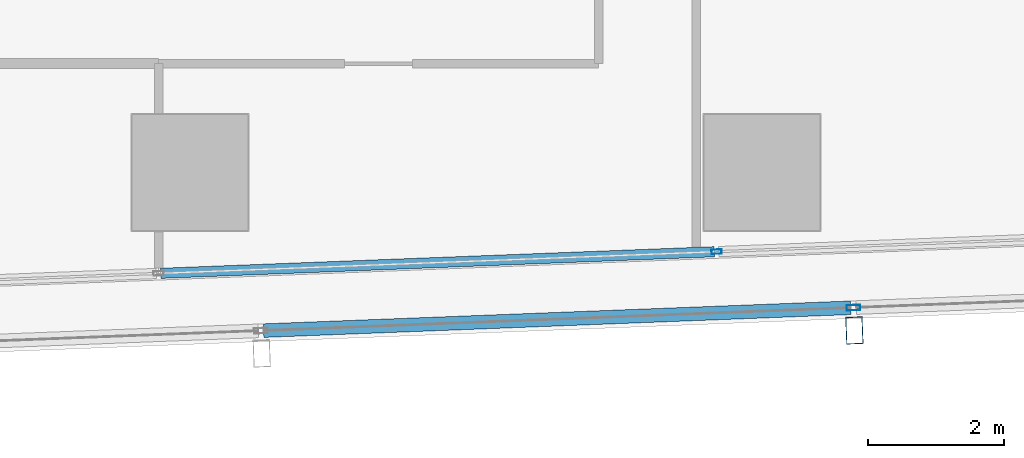
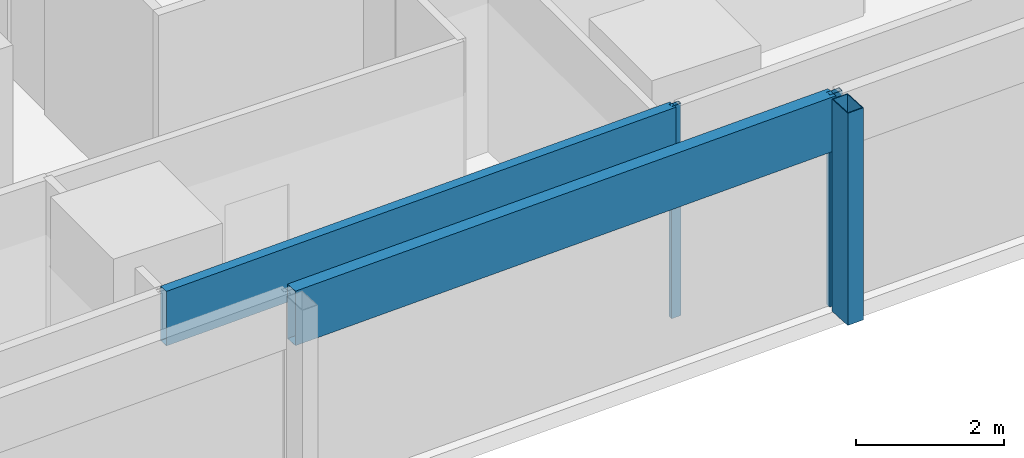
# One storey, part 11 of 40: 5 members, 2 elements without a shape of their own.
"""IFC4 building model written with IfcOpenShell, lengths in metres."""

from ifc_helpers import new_model, si_unit, direction, frame, origin, origin_2d, place, context, subcontext, project, spatial, hollow_rectangle, extrude, material, material_profile, profile_set, type_object, element, aggregate, save


model = new_model("IFC4")

# Units and contexts
model_context = context("Model", 3, precision=1e-05, world=origin(), true_north=direction((0.0, 1.0)))
body_context = subcontext(model_context, "Body", "Model", "MODEL_VIEW")
ifc_project = project(units=[si_unit("LENGTHUNIT", "METRE"), si_unit("AREAUNIT", "SQUARE_METRE"), si_unit("VOLUMEUNIT", "CUBIC_METRE"), si_unit("PLANEANGLEUNIT", "RADIAN"), si_unit("MASSUNIT", "GRAM", prefix="KILO")], contexts=[model_context])

# Site, building, storey
site_placement = place(None, origin())
site = spatial("IfcSite", under=ifc_project, at=site_placement, CompositionType="ELEMENT")
building_placement = place(site_placement, origin())
building = spatial("IfcBuilding", under=site, at=building_placement, Name="Rekha Terrace Tower", CompositionType="ELEMENT")
storey_placement = place(building_placement, frame((0.0, 0.0, 110.300048828125)))
storey = spatial("IfcBuildingStorey", under=building, at=storey_placement, Name="L27", CompositionType="ELEMENT", Elevation=110.300048828125)

# Curtain wall, member
ifc_material_1 = material(Name="Aluminium framing", Category="aluminium")
curtain_wall_type_1 = type_object("IfcCurtainWallType", Name="CW2 double skin outer glazing", PredefinedType="USERDEFINED", material=ifc_material_1)
curtain_wall_1_placement = place(storey_placement, origin())
curtain_wall_1 = element("IfcCurtainWall", 1, at=curtain_wall_1_placement, inside=storey, type_object=curtain_wall_type_1, Name="CW2 double skin outer glazing", ObjectType="DOUBLE SKIN OUTER GLAZING", PredefinedType="USERDEFINED")
ifc_material_2 = material(Name="Steel S355 with fluorocarbon finish", Category="steel")
ifc_material_profile_1 = material_profile(ifc_material_2, hollow_rectangle(XDim=0.25, YDim=0.39990234375, WallThickness=0.012451171875, at=origin_2d()), Name="RHS400x250x12.5")
ifc_profile_set_1 = profile_set([ifc_material_profile_1], Name="Steel S355 with fluorocarbon finish")
member_type_1 = type_object("IfcMemberType", Name="BL1 facade blade RHS 400 x 250", PredefinedType="USERDEFINED", material=ifc_profile_set_1)
member_1_placement = place(storey_placement, frame((60.1572265625, 14.480712890625, 0.0), z_axis=(0.0, 0.0, 1.0), x_axis=(0.999243494356, 0.038890088543, 0.0)))
member_1 = element("IfcMember", 2, at=member_1_placement, type_object=member_type_1, Name="Facade blade", ObjectType="FACADE BLADE", PredefinedType="USERDEFINED", context=body_context, shape_type="SweptSolid", body=[
    extrude(hollow_rectangle(XDim=0.25, YDim=0.39990234375, WallThickness=0.012451171875, at=origin_2d()), origin(), (0.0, 0.0, 1.0), 3.5),
])

# Curtain wall, members
curtain_wall_type_2 = type_object("IfcCurtainWallType", Name="CW1 double skin inner glazing", PredefinedType="USERDEFINED", material=ifc_material_1)
curtain_wall_2_placement = place(storey_placement, origin())
curtain_wall_2 = element("IfcCurtainWall", 3, at=curtain_wall_2_placement, inside=storey, type_object=curtain_wall_type_2, Name="CW1 double skin inner glazing", ObjectType="DOUBLE SKIN INNER GLAZING", PredefinedType="USERDEFINED")
ifc_material_3 = material(Name="Aluminium mullion section", Category="aluminium")
ifc_material_profile_2 = material_profile(ifc_material_3, hollow_rectangle(XDim=0.06494140625, YDim=0.14990234375, WallThickness=0.00390625, at=origin_2d()), Name="AL RHS 65x150")
ifc_profile_set_2 = profile_set([ifc_material_profile_2], Name="Aluminium mullion section")
member_type_2 = type_object("IfcMemberType", Name="CW1 mullion RHS 65 x 150", PredefinedType="MULLION", material=ifc_profile_set_2)
member_2_placement = place(storey_placement, frame((58.13330078125, 15.637939453125, 0.0), z_axis=(0.0, 0.0, 1.0), x_axis=(-0.038889971345, 0.999243498917, 0.0)))
member_2 = element("IfcMember", 4, at=member_2_placement, type_object=member_type_2, Name="CW1 mullion 5", PredefinedType="MULLION", context=body_context, shape_type="SweptSolid", body=[
    extrude(hollow_rectangle(XDim=0.06494140625, YDim=0.14990234375, WallThickness=0.00390625, at=origin_2d()), origin(), (0.0, 0.0, 1.0), 3.5),
])
ifc_material_4 = material(Name="Insulated aluminium spandrel box", Category="aluminium")
ifc_material_profile_3 = material_profile(ifc_material_4, hollow_rectangle(XDim=0.14990234375, YDim=0.89990234375, WallThickness=0.0029296875, at=origin_2d()), Name="AL SPANDREL BOX 150x900")
ifc_profile_set_3 = profile_set([ifc_material_profile_3], Name="Insulated aluminium spandrel box")
member_type_3 = type_object("IfcMemberType", Name="CW1 spandrel transom 150 x 900", PredefinedType="USERDEFINED", material=ifc_profile_set_3)
member_3_placement = place(storey_placement, frame((49.96923828125, 15.320068359375, 3.050048828125), z_axis=(0.999242669674, 0.038911272182, 0.0), x_axis=(-0.038911272182, 0.999242669674, 0.0)))
member_3 = element("IfcMember", 5, at=member_3_placement, type_object=member_type_3, Name="CW1 spandrel transom 4", ObjectType="TRANSOM", PredefinedType="USERDEFINED", context=body_context, shape_type="SweptSolid", body=[
    extrude(hollow_rectangle(XDim=0.14990234375, YDim=0.89990234375, WallThickness=0.0029296875, at=origin_2d()), origin(), (0.0, 0.0, 1.0), 8.1376953125),
])
aggregate(curtain_wall_2, [member_2, member_3])

# Member
ifc_material_profile_4 = material_profile(ifc_material_3, hollow_rectangle(XDim=0.080078125, YDim=0.199951171875, WallThickness=0.00390625, at=origin_2d()), Name="AL RHS 80x200")
ifc_profile_set_4 = profile_set([ifc_material_profile_4], Name="Aluminium mullion section")
member_type_4 = type_object("IfcMemberType", Name="CW2 mullion RHS 80 x 200", PredefinedType="MULLION", material=ifc_profile_set_4)
member_4_placement = place(storey_placement, frame((60.14404296875, 14.8154296875, 0.0), z_axis=(0.0, 0.0, 1.0), x_axis=(-0.038889971345, 0.999243498917, 0.0)))
member_4 = element("IfcMember", 6, at=member_4_placement, type_object=member_type_4, Name="CW2 mullion 5", PredefinedType="MULLION", context=body_context, shape_type="SweptSolid", body=[
    extrude(hollow_rectangle(XDim=0.080078125, YDim=0.199951171875, WallThickness=0.00390625, at=origin_2d()), origin(), (0.0, 0.0, 1.0), 3.5),
])

ifc_material_profile_5 = material_profile(ifc_material_4, hollow_rectangle(XDim=0.199951171875, YDim=0.89990234375, WallThickness=0.0029296875, at=origin_2d()), Name="AL SPANDREL BOX 200x900")
ifc_profile_set_5 = profile_set([ifc_material_profile_5], Name="Insulated aluminium spandrel box")
member_type_5 = type_object("IfcMemberType", Name="CW2 spandrel transom 200 x 900", PredefinedType="USERDEFINED", material=ifc_profile_set_5)
member_5_placement = place(storey_placement, frame((51.47900390625, 14.478271484375, 3.050048828125), z_axis=(0.999243481303, 0.038890423923, 0.0), x_axis=(-0.038890423923, 0.999243481303, 0.0)))
member_5 = element("IfcMember", 7, at=member_5_placement, type_object=member_type_5, Name="CW2 spandrel transom 4", ObjectType="TRANSOM", PredefinedType="USERDEFINED", context=body_context, shape_type="SweptSolid", body=[
    extrude(hollow_rectangle(XDim=0.199951171875, YDim=0.89990234375, WallThickness=0.0029296875, at=origin_2d()), origin(), (0.0, 0.0, 1.0), 8.6318359375),
])

aggregate(curtain_wall_1, [member_4, member_5, member_1])

save(model, "model.ifc")
